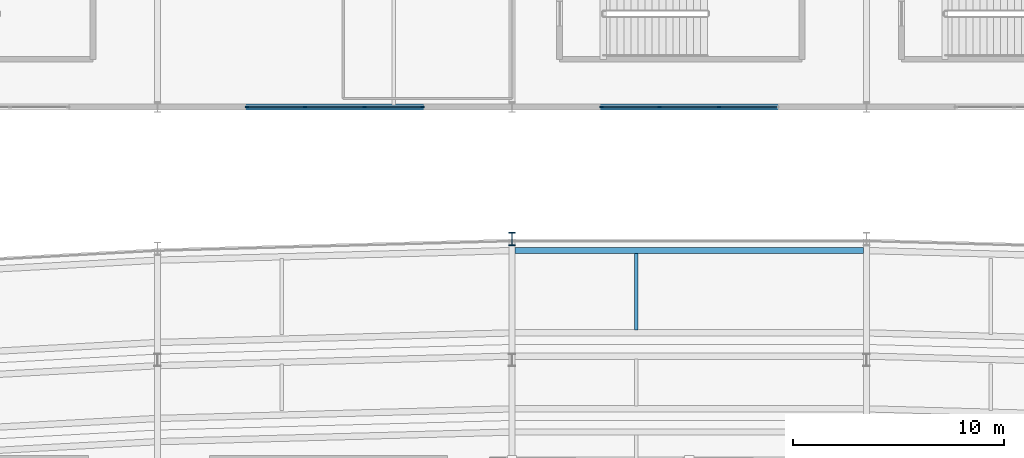
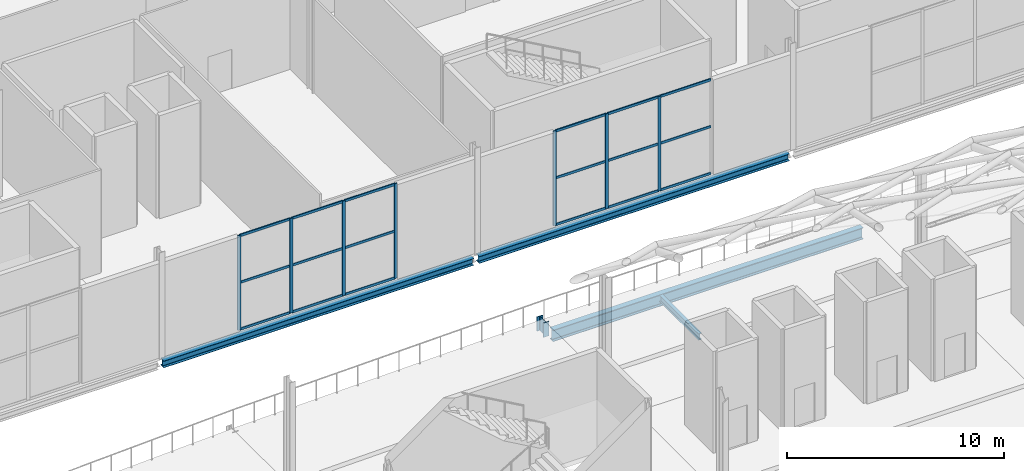
# One storey, part 35 of 100: 26 members, 4 beams, 2 elements without a shape of their own.
"""IFC4 building model written with IfcOpenShell, lengths in metres."""

from ifc_helpers import new_model, si_unit, direction, frame, origin, origin_2d, place, context, subcontext, project, spatial, rectangle, i_section, extrude, material, material_profile, profile_set, type_object, element, aggregate, save


model = new_model("IFC4")

# Units and contexts
model_context = context("Model", 3, precision=1e-05, world=origin(), true_north=direction((0.0, 1.0)))
body_context = subcontext(model_context, "Body", "Model", "MODEL_VIEW")
ifc_project = project(units=[si_unit("LENGTHUNIT", "METRE"), si_unit("AREAUNIT", "SQUARE_METRE"), si_unit("VOLUMEUNIT", "CUBIC_METRE"), si_unit("PLANEANGLEUNIT", "RADIAN"), si_unit("MASSUNIT", "GRAM", prefix="KILO")], contexts=[model_context])

# Site, building, storey
site_placement = place(None, origin())
site = spatial("IfcSite", under=ifc_project, at=site_placement, CompositionType="ELEMENT")
building_placement = place(site_placement, origin())
building = spatial("IfcBuilding", under=site, at=building_placement, Name="Kimbaza Rail Terminus", CompositionType="ELEMENT")
storey_placement = place(building_placement, frame((0.0, 0.0, 10.800048828125)))
storey = spatial("IfcBuildingStorey", under=building, at=storey_placement, Name="L02", CompositionType="ELEMENT", Elevation=10.800048828125)

# Curtain wall, members
ifc_material_1 = material(Name="Anodised aluminium framing and solar low-E glazing", Category="aluminium")
curtain_wall_type = type_object("IfcCurtainWallType", Name="ARC-CW-OP1", PredefinedType="USERDEFINED", material=ifc_material_1)
curtain_wall_1_placement = place(storey_placement, origin())
curtain_wall_1 = element("IfcCurtainWall", 1, at=curtain_wall_1_placement, inside=storey, type_object=curtain_wall_type, Name="Operations South Curtain Wall L02 Bay 3", ObjectType="UNITISED CURTAIN WALL", PredefinedType="USERDEFINED")
ifc_material_2 = material(Name="Anodised architectural aluminium", Category="aluminium")
ifc_material_profile_1 = material_profile(ifc_material_2, rectangle(XDim=0.06201171875, YDim=0.1650390625, at=origin_2d()), Name="MULLION 62x165")
ifc_profile_set_1 = profile_set([ifc_material_profile_1], Name="Anodised architectural aluminium")
member_type_1 = type_object("IfcMemberType", Name="ARC-CWM-05", PredefinedType="MULLION", material=ifc_profile_set_1)
member_1_placement = place(storey_placement, frame((93.031005859375, 103.0, 0.0), z_axis=(0.0, 0.0, 1.0), x_axis=(0.0, 1.0, 0.0)))
member_1 = element("IfcMember", 2, at=member_1_placement, type_object=member_type_1, Name="CW-05 mullion 1", PredefinedType="MULLION", context=body_context, shape_type="SweptSolid", body=[
    extrude(rectangle(XDim=0.06201171875, YDim=0.1650390625, at=origin_2d()), origin(), (0.0, 0.0, 1.0), 5.324951171875),
])
member_2_placement = place(storey_placement, frame((95.800048828125, 103.0, 0.0), z_axis=(0.0, 0.0, 1.0), x_axis=(0.0, 1.0, 0.0)))
member_2 = element("IfcMember", 3, at=member_2_placement, type_object=member_type_1, Name="CW-05 mullion 2", PredefinedType="MULLION", context=body_context, shape_type="SweptSolid", body=[
    extrude(rectangle(XDim=0.06201171875, YDim=0.1650390625, at=origin_2d()), origin(), (0.0, 0.0, 1.0), 5.324951171875),
])
member_3_placement = place(storey_placement, frame((98.60009765625, 103.0, 0.0), z_axis=(0.0, 0.0, 1.0), x_axis=(0.0, 1.0, 0.0)))
member_3 = element("IfcMember", 4, at=member_3_placement, type_object=member_type_1, Name="CW-05 mullion 3", PredefinedType="MULLION", context=body_context, shape_type="SweptSolid", body=[
    extrude(rectangle(XDim=0.06201171875, YDim=0.1650390625, at=origin_2d()), origin(), (0.0, 0.0, 1.0), 5.324951171875),
])
member_4_placement = place(storey_placement, frame((101.368896484375, 103.0, 0.0), z_axis=(0.0, 0.0, 1.0), x_axis=(0.0, 1.0, 0.0)))
member_4 = element("IfcMember", 5, at=member_4_placement, type_object=member_type_1, Name="CW-05 mullion 4", PredefinedType="MULLION", context=body_context, shape_type="SweptSolid", body=[
    extrude(rectangle(XDim=0.06201171875, YDim=0.1650390625, at=origin_2d()), origin(), (0.0, 0.0, 1.0), 5.324951171875),
])

curtain_wall_2_placement = place(storey_placement, origin())
curtain_wall_2 = element("IfcCurtainWall", 6, at=curtain_wall_2_placement, inside=storey, type_object=curtain_wall_type, Name="Operations South Curtain Wall L02 Bay 4", ObjectType="UNITISED CURTAIN WALL", PredefinedType="USERDEFINED")
member_5_placement = place(storey_placement, frame((109.8310546875, 103.0, 0.0), z_axis=(0.0, 0.0, 1.0), x_axis=(0.0, 1.0, 0.0)))
member_5 = element("IfcMember", 7, at=member_5_placement, type_object=member_type_1, Name="CW-05 mullion 1", PredefinedType="MULLION", context=body_context, shape_type="SweptSolid", body=[
    extrude(rectangle(XDim=0.06201171875, YDim=0.1650390625, at=origin_2d()), origin(), (0.0, 0.0, 1.0), 5.324951171875),
])
member_6_placement = place(storey_placement, frame((112.60009765625, 103.0, 0.0), z_axis=(0.0, 0.0, 1.0), x_axis=(0.0, 1.0, 0.0)))
member_6 = element("IfcMember", 8, at=member_6_placement, type_object=member_type_1, Name="CW-05 mullion 2", PredefinedType="MULLION", context=body_context, shape_type="SweptSolid", body=[
    extrude(rectangle(XDim=0.06201171875, YDim=0.1650390625, at=origin_2d()), origin(), (0.0, 0.0, 1.0), 5.324951171875),
])
member_7_placement = place(storey_placement, frame((115.39990234375, 103.0, 0.0), z_axis=(0.0, 0.0, 1.0), x_axis=(0.0, 1.0, 0.0)))
member_7 = element("IfcMember", 9, at=member_7_placement, type_object=member_type_1, Name="CW-05 mullion 3", PredefinedType="MULLION", context=body_context, shape_type="SweptSolid", body=[
    extrude(rectangle(XDim=0.06201171875, YDim=0.1650390625, at=origin_2d()), origin(), (0.0, 0.0, 1.0), 5.324951171875),
])

# Member
ifc_material_3 = material(Name="Anodised architectural aluminium", Category="aluminium")
ifc_material_profile_2 = material_profile(ifc_material_3, rectangle(XDim=0.06201171875, YDim=0.135009765625, at=origin_2d()), Name="TRANSOM 62x135")
ifc_profile_set_2 = profile_set([ifc_material_profile_2], Name="Anodised architectural aluminium")
member_type_2 = type_object("IfcMemberType", Name="ARC-CWT-05", PredefinedType="USERDEFINED", material=ifc_profile_set_2)
member_8_placement = place(storey_placement, frame((93.06201171875, 103.0, 0.031005859375), z_axis=(1.0, 0.0, 0.0), x_axis=(0.0, 1.0, 0.0)))
member_8 = element("IfcMember", 10, at=member_8_placement, type_object=member_type_2, Name="CW-05 transom 1.1", ObjectType="TRANSOM", PredefinedType="USERDEFINED", context=body_context, shape_type="SweptSolid", body=[
    extrude(rectangle(XDim=0.06201171875, YDim=0.135009765625, at=origin_2d()), origin(), (0.0, 0.0, 1.0), 2.70703125),
])

member_9_placement = place(storey_placement, frame((93.06201171875, 103.0, 2.662353515625), z_axis=(1.0, 0.0, 0.0), x_axis=(0.0, 1.0, 0.0)))
member_9 = element("IfcMember", 11, at=member_9_placement, type_object=member_type_2, Name="CW-05 transom 1.2", ObjectType="TRANSOM", PredefinedType="USERDEFINED", context=body_context, shape_type="SweptSolid", body=[
    extrude(rectangle(XDim=0.06201171875, YDim=0.135009765625, at=origin_2d()), origin(), (0.0, 0.0, 1.0), 2.70703125),
])

member_10_placement = place(storey_placement, frame((93.06201171875, 103.0, 5.2939453125), z_axis=(1.0, 0.0, 0.0), x_axis=(0.0, 1.0, 0.0)))
member_10 = element("IfcMember", 12, at=member_10_placement, type_object=member_type_2, Name="CW-05 transom 1.3", ObjectType="TRANSOM", PredefinedType="USERDEFINED", context=body_context, shape_type="SweptSolid", body=[
    extrude(rectangle(XDim=0.06201171875, YDim=0.135009765625, at=origin_2d()), origin(), (0.0, 0.0, 1.0), 2.70703125),
])

member_11_placement = place(storey_placement, frame((95.8310546875, 103.0, 0.031005859375), z_axis=(1.0, 0.0, 0.0), x_axis=(0.0, 1.0, 0.0)))
member_11 = element("IfcMember", 13, at=member_11_placement, type_object=member_type_2, Name="CW-05 transom 2.1", ObjectType="TRANSOM", PredefinedType="USERDEFINED", context=body_context, shape_type="SweptSolid", body=[
    extrude(rectangle(XDim=0.06201171875, YDim=0.135009765625, at=origin_2d()), origin(), (0.0, 0.0, 1.0), 2.738037109375),
])

member_12_placement = place(storey_placement, frame((95.8310546875, 103.0, 2.662353515625), z_axis=(1.0, 0.0, 0.0), x_axis=(0.0, 1.0, 0.0)))
member_12 = element("IfcMember", 14, at=member_12_placement, type_object=member_type_2, Name="CW-05 transom 2.2", ObjectType="TRANSOM", PredefinedType="USERDEFINED", context=body_context, shape_type="SweptSolid", body=[
    extrude(rectangle(XDim=0.06201171875, YDim=0.135009765625, at=origin_2d()), origin(), (0.0, 0.0, 1.0), 2.738037109375),
])

member_13_placement = place(storey_placement, frame((95.8310546875, 103.0, 5.2939453125), z_axis=(1.0, 0.0, 0.0), x_axis=(0.0, 1.0, 0.0)))
member_13 = element("IfcMember", 15, at=member_13_placement, type_object=member_type_2, Name="CW-05 transom 2.3", ObjectType="TRANSOM", PredefinedType="USERDEFINED", context=body_context, shape_type="SweptSolid", body=[
    extrude(rectangle(XDim=0.06201171875, YDim=0.135009765625, at=origin_2d()), origin(), (0.0, 0.0, 1.0), 2.738037109375),
])

member_14_placement = place(storey_placement, frame((98.631103515625, 103.0, 0.031005859375), z_axis=(1.0, 0.0, 0.0), x_axis=(0.0, 1.0, 0.0)))
member_14 = element("IfcMember", 16, at=member_14_placement, type_object=member_type_2, Name="CW-05 transom 3.1", ObjectType="TRANSOM", PredefinedType="USERDEFINED", context=body_context, shape_type="SweptSolid", body=[
    extrude(rectangle(XDim=0.06201171875, YDim=0.135009765625, at=origin_2d()), origin(), (0.0, 0.0, 1.0), 2.706787109375),
])

member_15_placement = place(storey_placement, frame((98.631103515625, 103.0, 2.662353515625), z_axis=(1.0, 0.0, 0.0), x_axis=(0.0, 1.0, 0.0)))
member_15 = element("IfcMember", 17, at=member_15_placement, type_object=member_type_2, Name="CW-05 transom 3.2", ObjectType="TRANSOM", PredefinedType="USERDEFINED", context=body_context, shape_type="SweptSolid", body=[
    extrude(rectangle(XDim=0.06201171875, YDim=0.135009765625, at=origin_2d()), origin(), (0.0, 0.0, 1.0), 2.706787109375),
])

member_16_placement = place(storey_placement, frame((98.631103515625, 103.0, 5.2939453125), z_axis=(1.0, 0.0, 0.0), x_axis=(0.0, 1.0, 0.0)))
member_16 = element("IfcMember", 18, at=member_16_placement, type_object=member_type_2, Name="CW-05 transom 3.3", ObjectType="TRANSOM", PredefinedType="USERDEFINED", context=body_context, shape_type="SweptSolid", body=[
    extrude(rectangle(XDim=0.06201171875, YDim=0.135009765625, at=origin_2d()), origin(), (0.0, 0.0, 1.0), 2.706787109375),
])

aggregate(curtain_wall_1, [member_1, member_2, member_3, member_4, member_8, member_9, member_10, member_11, member_12, member_13, member_14, member_15, member_16])

member_17_placement = place(storey_placement, frame((109.862060546875, 103.0, 0.031005859375), z_axis=(1.0, 0.0, 0.0), x_axis=(0.0, 1.0, 0.0)))
member_17 = element("IfcMember", 19, at=member_17_placement, type_object=member_type_2, Name="CW-05 transom 1.1", ObjectType="TRANSOM", PredefinedType="USERDEFINED", context=body_context, shape_type="SweptSolid", body=[
    extrude(rectangle(XDim=0.06201171875, YDim=0.135009765625, at=origin_2d()), origin(), (0.0, 0.0, 1.0), 2.70703125),
])

member_18_placement = place(storey_placement, frame((109.862060546875, 103.0, 2.662353515625), z_axis=(1.0, 0.0, 0.0), x_axis=(0.0, 1.0, 0.0)))
member_18 = element("IfcMember", 20, at=member_18_placement, type_object=member_type_2, Name="CW-05 transom 1.2", ObjectType="TRANSOM", PredefinedType="USERDEFINED", context=body_context, shape_type="SweptSolid", body=[
    extrude(rectangle(XDim=0.06201171875, YDim=0.135009765625, at=origin_2d()), origin(), (0.0, 0.0, 1.0), 2.70703125),
])

member_19_placement = place(storey_placement, frame((109.862060546875, 103.0, 5.2939453125), z_axis=(1.0, 0.0, 0.0), x_axis=(0.0, 1.0, 0.0)))
member_19 = element("IfcMember", 21, at=member_19_placement, type_object=member_type_2, Name="CW-05 transom 1.3", ObjectType="TRANSOM", PredefinedType="USERDEFINED", context=body_context, shape_type="SweptSolid", body=[
    extrude(rectangle(XDim=0.06201171875, YDim=0.135009765625, at=origin_2d()), origin(), (0.0, 0.0, 1.0), 2.70703125),
])

member_20_placement = place(storey_placement, frame((112.631103515625, 103.0, 0.031005859375), z_axis=(1.0, 0.0, 0.0), x_axis=(0.0, 1.0, 0.0)))
member_20 = element("IfcMember", 22, at=member_20_placement, type_object=member_type_2, Name="CW-05 transom 2.1", ObjectType="TRANSOM", PredefinedType="USERDEFINED", context=body_context, shape_type="SweptSolid", body=[
    extrude(rectangle(XDim=0.06201171875, YDim=0.135009765625, at=origin_2d()), origin(), (0.0, 0.0, 1.0), 2.73779296875),
])

member_21_placement = place(storey_placement, frame((112.631103515625, 103.0, 2.662353515625), z_axis=(1.0, 0.0, 0.0), x_axis=(0.0, 1.0, 0.0)))
member_21 = element("IfcMember", 23, at=member_21_placement, type_object=member_type_2, Name="CW-05 transom 2.2", ObjectType="TRANSOM", PredefinedType="USERDEFINED", context=body_context, shape_type="SweptSolid", body=[
    extrude(rectangle(XDim=0.06201171875, YDim=0.135009765625, at=origin_2d()), origin(), (0.0, 0.0, 1.0), 2.73779296875),
])

member_22_placement = place(storey_placement, frame((112.631103515625, 103.0, 5.2939453125), z_axis=(1.0, 0.0, 0.0), x_axis=(0.0, 1.0, 0.0)))
member_22 = element("IfcMember", 24, at=member_22_placement, type_object=member_type_2, Name="CW-05 transom 2.3", ObjectType="TRANSOM", PredefinedType="USERDEFINED", context=body_context, shape_type="SweptSolid", body=[
    extrude(rectangle(XDim=0.06201171875, YDim=0.135009765625, at=origin_2d()), origin(), (0.0, 0.0, 1.0), 2.73779296875),
])

member_23_placement = place(storey_placement, frame((115.430908203125, 103.0, 0.031005859375), z_axis=(1.0, 0.0, 0.0), x_axis=(0.0, 1.0, 0.0)))
member_23 = element("IfcMember", 25, at=member_23_placement, type_object=member_type_2, Name="CW-05 transom 3.1", ObjectType="TRANSOM", PredefinedType="USERDEFINED", context=body_context, shape_type="SweptSolid", body=[
    extrude(rectangle(XDim=0.06201171875, YDim=0.135009765625, at=origin_2d()), origin(), (0.0, 0.0, 1.0), 2.70703125),
])

member_24_placement = place(storey_placement, frame((115.430908203125, 103.0, 2.662353515625), z_axis=(1.0, 0.0, 0.0), x_axis=(0.0, 1.0, 0.0)))
member_24 = element("IfcMember", 26, at=member_24_placement, type_object=member_type_2, Name="CW-05 transom 3.2", ObjectType="TRANSOM", PredefinedType="USERDEFINED", context=body_context, shape_type="SweptSolid", body=[
    extrude(rectangle(XDim=0.06201171875, YDim=0.135009765625, at=origin_2d()), origin(), (0.0, 0.0, 1.0), 2.70703125),
])

member_25_placement = place(storey_placement, frame((115.430908203125, 103.0, 5.2939453125), z_axis=(1.0, 0.0, 0.0), x_axis=(0.0, 1.0, 0.0)))
member_25 = element("IfcMember", 27, at=member_25_placement, type_object=member_type_2, Name="CW-05 transom 3.3", ObjectType="TRANSOM", PredefinedType="USERDEFINED", context=body_context, shape_type="SweptSolid", body=[
    extrude(rectangle(XDim=0.06201171875, YDim=0.135009765625, at=origin_2d()), origin(), (0.0, 0.0, 1.0), 2.70703125),
])

aggregate(curtain_wall_2, [member_5, member_6, member_7, member_17, member_18, member_19, member_20, member_21, member_22, member_23, member_24, member_25])

# Beams
ifc_material_4 = material(Name="Steel S355", Category="steel")
ifc_material_profile_3 = material_profile(ifc_material_4, i_section(OverallWidth=0.300048828125, OverallDepth=0.389892578125, WebThickness=0.010986328125, FlangeThickness=0.01904296875, FilletRadius=0.027099609375, at=origin_2d()), Name="HEA 400")
ifc_profile_set_3 = profile_set([ifc_material_profile_3], Name="Steel S355")
beam_type_1 = type_object("IfcBeamType", Name="STR-BM-HEA400", PredefinedType="SPANDREL", material=ifc_profile_set_3)
beam_1_placement = place(storey_placement, frame((88.946044921875, 103.0, -0.43505859375), z_axis=(1.0, 0.0, 0.0), x_axis=(0.0, 1.0, 0.0)))
element("IfcBeam", 28, at=beam_1_placement, inside=storey, type_object=beam_type_1, Name="Operations Girder L02 X2-Y0", PredefinedType="SPANDREL", context=body_context, shape_type="SweptSolid", body=[
    extrude(i_section(OverallWidth=0.300048828125, OverallDepth=0.389892578125, WebThickness=0.010986328125, FlangeThickness=0.01904296875, FilletRadius=0.027099609375, at=origin_2d()), origin(), (0.0, 0.0, 1.0), 16.508056640625),
])
beam_2_placement = place(storey_placement, frame((105.74609375, 103.0, -0.43505859375), z_axis=(1.0, 0.0, 0.0), x_axis=(0.0, 1.0, 0.0)))
element("IfcBeam", 29, at=beam_2_placement, inside=storey, type_object=beam_type_1, Name="Operations Girder L02 X3-Y0", PredefinedType="SPANDREL", context=body_context, shape_type="SweptSolid", body=[
    extrude(i_section(OverallWidth=0.300048828125, OverallDepth=0.389892578125, WebThickness=0.010986328125, FlangeThickness=0.01904296875, FilletRadius=0.027099609375, at=origin_2d()), origin(), (0.0, 0.0, 1.0), 16.5078125),
])
ifc_material_5 = material(Name="Steel S355", Category="steel")
ifc_material_profile_4 = material_profile(ifc_material_5, i_section(OverallWidth=0.300048828125, OverallDepth=0.64990234375, WebThickness=0.01611328125, FlangeThickness=0.031005859375, FilletRadius=0.027099609375, at=origin_2d()), Name="HEB 650")
ifc_profile_set_4 = profile_set([ifc_material_profile_4], Name="Steel S355")
beam_type_2 = type_object("IfcBeamType", Name="STR-BM-HEB650", PredefinedType="USERDEFINED", material=ifc_profile_set_4)
beam_3_placement = place(storey_placement, frame((105.7451171875, 96.193115234375, -0.5849609375), z_axis=(1.0, 0.0, 0.0), x_axis=(0.0, 1.0, 0.0)))
element("IfcBeam", 30, at=beam_3_placement, inside=storey, type_object=beam_type_2, Name="Viaduct Chorded Girder P4 Bay 06", ObjectType="GIRDER", PredefinedType="USERDEFINED", context=body_context, shape_type="SweptSolid", body=[
    extrude(i_section(OverallWidth=0.300048828125, OverallDepth=0.64990234375, WebThickness=0.01611328125, FlangeThickness=0.031005859375, FilletRadius=0.027099609375, at=origin_2d()), origin(), (0.0, 0.0, 1.0), 16.509765625),
])
ifc_material_6 = material(Name="Steel S355", Category="steel")
ifc_material_profile_5 = material_profile(ifc_material_6, i_section(OverallWidth=0.169921875, OverallDepth=0.360107421875, WebThickness=0.008056640625, FlangeThickness=0.0126953125, FilletRadius=0.01806640625, at=origin_2d()), Name="IPE 360")
ifc_profile_set_5 = profile_set([ifc_material_profile_5], Name="Steel S355")
beam_type_3 = type_object("IfcBeamType", Name="STR-BM-IPE360", PredefinedType="JOIST", material=ifc_profile_set_5)
beam_4_placement = place(storey_placement, frame((111.47998046875, 92.43798828125, -0.43994140625), z_axis=(0.0, 1.0, 0.0), x_axis=(-1.0, 0.0, 0.0)))
element("IfcBeam", 31, at=beam_4_placement, inside=storey, type_object=beam_type_3, Name="Viaduct Diaphragm P4 Bay 06", PredefinedType="JOIST", context=body_context, shape_type="SweptSolid", body=[
    extrude(i_section(OverallWidth=0.169921875, OverallDepth=0.360107421875, WebThickness=0.008056640625, FlangeThickness=0.0126953125, FilletRadius=0.01806640625, at=origin_2d()), origin(), (0.0, 0.0, 1.0), 3.610107421875),
])

# Member
ifc_material_7 = material(Name="Steel S355", Category="steel")
ifc_material_profile_6 = material_profile(ifc_material_7, i_section(OverallWidth=0.304931640625, OverallDepth=0.6201171875, WebThickness=0.02099609375, FlangeThickness=0.0400390625, FilletRadius=0.027099609375, at=origin_2d()), Name="HEM 600")
ifc_profile_set_6 = profile_set([ifc_material_profile_6], Name="Steel S355")
member_type_3 = type_object("IfcMemberType", Name="STR-MB-HEM600", PredefinedType="POST", material=ifc_profile_set_6)
member_26_placement = place(storey_placement, frame((105.60009765625, 96.7431640625, -0.800048828125), z_axis=(0.0, 0.0, 1.0), x_axis=(1.0, 0.0, 0.0)))
element("IfcMember", 32, at=member_26_placement, inside=storey, type_object=member_type_3, Name="Vault Springing Shoe Pedestal N VP-06", PredefinedType="POST", context=body_context, shape_type="SweptSolid", body=[
    extrude(i_section(OverallWidth=0.304931640625, OverallDepth=0.6201171875, WebThickness=0.02099609375, FlangeThickness=0.0400390625, FilletRadius=0.027099609375, at=origin_2d()), origin(), (0.0, 0.0, 1.0), 0.800048828125),
])

save(model, "model.ifc")
